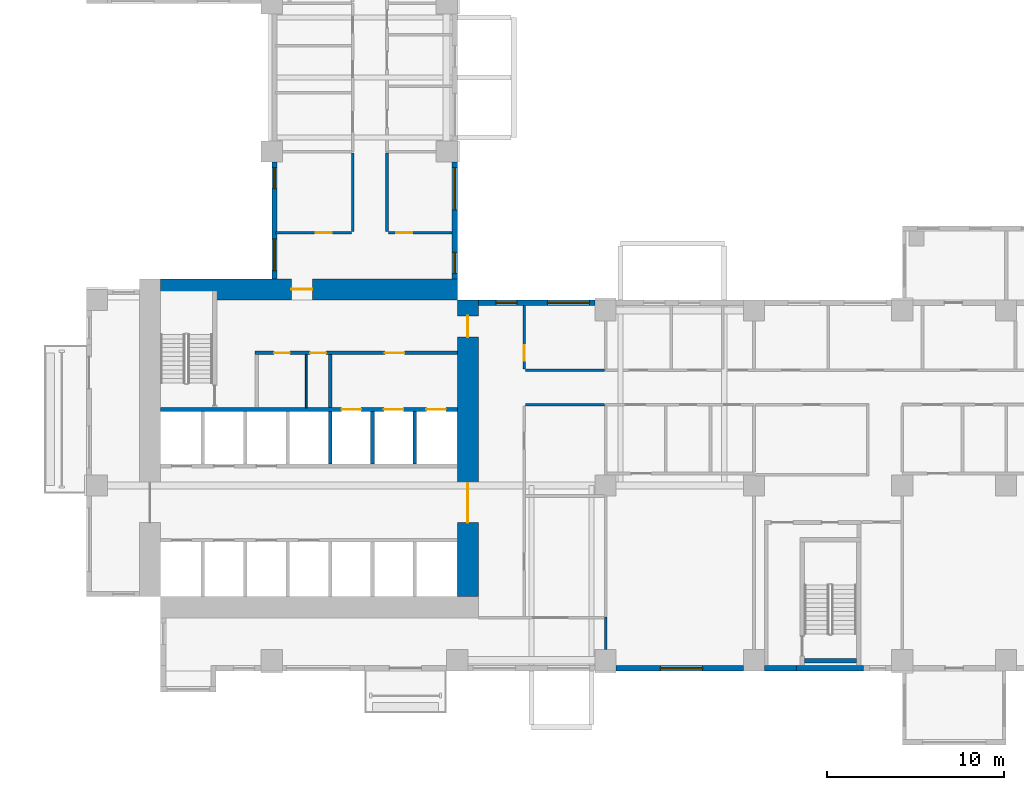
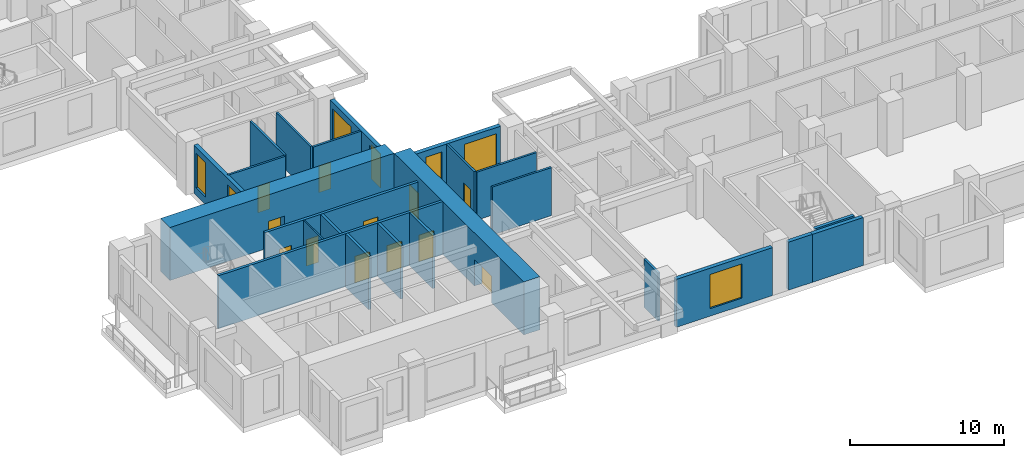
# One storey, part 3 of 15: 24 walls, 12 doors, 7 windows, 19 openings.
"""IFC4 building model written with IfcOpenShell, lengths in metres."""

from ifc_helpers import new_model, si_unit, direction, frame, frame_2d, origin, place, context, subcontext, project, spatial, rectangle, extrude, source, transform, mapped, material, layer, layer_set, type_object, element, fill, save


model = new_model("IFC4")

# Units and contexts
model_context = context("Model", 3, precision=1e-05, world=origin(), true_north=direction((0.0, 1.0)))
body_context = subcontext(model_context, "Body", "Model", "MODEL_VIEW")
ifc_project = project(units=[si_unit("LENGTHUNIT", "METRE"), si_unit("AREAUNIT", "SQUARE_METRE"), si_unit("VOLUMEUNIT", "CUBIC_METRE"), si_unit("PLANEANGLEUNIT", "RADIAN"), si_unit("MASSUNIT", "GRAM", prefix="KILO")], contexts=[model_context])

# Site, building, storey
site_placement = place(None, origin())
site = spatial("IfcSite", under=ifc_project, at=site_placement, CompositionType="ELEMENT")
building_placement = place(site_placement, origin())
building = spatial("IfcBuilding", under=site, at=building_placement, Name="Aurelian Terraces", CompositionType="ELEMENT")
storey_placement = place(building_placement, frame((0.0, 0.0, 74.1)))
storey = spatial("IfcBuildingStorey", under=building, at=storey_placement, Name="L15", CompositionType="ELEMENT", Elevation=74.1)

# Wall, openings, doors
ifc_material_1 = material(Name="Concrete fc' 83 MPa", Category="concrete")
ifc_layer_1 = layer(ifc_material_1, 1.2)
ifc_layer_set_1 = layer_set([ifc_layer_1], Name="CORE WALL 1200 FC83")
wall_type_1 = type_object("IfcWallType", Name="CORE WALL 1200 FC83", PredefinedType="SHEAR", material=ifc_layer_set_1)
shared_shape_1 = source(origin(), body_context, "Body", "SweptSolid", [
    extrude(rectangle(XDim=16.8, YDim=1.2, at=frame_2d((8.4, 0.0))), origin(), (0.0, 0.0, 1.0), 4.2),
])
wall_1_placement = place(storey_placement, frame((21.6, 4.2, 0.0), z_axis=(0.0, 0.0, 1.0), x_axis=(0.0, 1.0, 0.0)))
wall_1 = element("IfcWall", 1, at=wall_1_placement, inside=storey, type_object=wall_type_1, Name="Core wall E L15", PredefinedType="SHEAR", context=body_context, shape_type="MappedRepresentation", body=[
    mapped(shared_shape_1, transform((0.0, 0.0, 0.0), scale=1.0)),
])
shared_shape_2 = source(origin(), body_context, "Body", "SweptSolid", [
    extrude(rectangle(XDim=2.2, YDim=2.1, at=frame_2d((1.1, 1.05))), frame((0.0, 0.61, 0.0), z_axis=(0.0, -1.0, 0.0), x_axis=(1.0, 0.0, 0.0)), (0.0, 0.0, 1.0), 1.22),
])
opening_1_placement = place(wall_1_placement, frame((4.2, 0.0, 0.0)))
opening_1 = element("IfcOpeningElement", 2, at=opening_1_placement, cuts=wall_1, Name="Opening 61820", PredefinedType="OPENING", context=body_context, shape_type="MappedRepresentation", body=[
    mapped(shared_shape_2, transform((0.0, 0.0, 0.0), scale=1.0)),
])
shared_shape_3 = source(origin(), body_context, "Body", "SweptSolid", [
    extrude(rectangle(XDim=1.2, YDim=2.1, at=frame_2d((0.6, 1.05))), frame((0.0, 0.61, 0.0), z_axis=(0.0, -1.0, 0.0), x_axis=(1.0, 0.0, 0.0)), (0.0, 0.0, 1.0), 1.22),
])
opening_2_placement = place(wall_1_placement, frame((14.7, 0.0, 0.0)))
opening_2 = element("IfcOpeningElement", 3, at=opening_2_placement, cuts=wall_1, Name="Opening 61823", PredefinedType="OPENING", context=body_context, shape_type="MappedRepresentation", body=[
    mapped(shared_shape_3, transform((0.0, 0.0, 0.0), scale=1.0)),
])
ifc_material_2 = material(Name="Steel door leaf", Category="steel")
door_type_1 = type_object("IfcDoorType", Name="Core fire door 1200x2100 right", OperationType="SINGLE_SWING_RIGHT", PredefinedType="DOOR", material=ifc_material_2)
shared_shape_4 = source(origin(), body_context, "Body", "SweptSolid", [
    extrude(rectangle(XDim=1.2, YDim=2.1, at=frame_2d((0.6, 1.05))), frame((0.0, 0.025, 0.0), z_axis=(0.0, -1.0, 0.0), x_axis=(1.0, 0.0, 0.0)), (0.0, 0.0, 1.0), 0.05),
])
door_1_placement = place(opening_2_placement, origin())
door_1 = element("IfcDoor", 4, at=door_1_placement, inside=storey, type_object=door_type_1, Name="Core door 61823", OperationType="SINGLE_SWING_RIGHT", OverallHeight=2.1, OverallWidth=1.2, PredefinedType="DOOR", context=body_context, shape_type="MappedRepresentation", body=[
    mapped(shared_shape_4, transform((0.0, 0.0, 0.0), scale=1.0)),
])
fill(opening_2, door_1)
door_type_2 = type_object("IfcDoorType", Name="Core double door 2200x2100", OperationType="DOUBLE_DOOR_SINGLE_SWING", PredefinedType="DOOR", material=ifc_material_2)
shared_shape_5 = source(origin(), body_context, "Body", "SweptSolid", [
    extrude(rectangle(XDim=2.2, YDim=2.1, at=frame_2d((1.1, 1.05))), frame((0.0, 0.025, 0.0), z_axis=(0.0, -1.0, 0.0), x_axis=(1.0, 0.0, 0.0)), (0.0, 0.0, 1.0), 0.05),
])
door_2_placement = place(opening_1_placement, origin())
door_2 = element("IfcDoor", 5, at=door_2_placement, inside=storey, type_object=door_type_2, Name="Core door 61820", OperationType="DOUBLE_DOOR_SINGLE_SWING", OverallHeight=2.1, OverallWidth=2.2, PredefinedType="DOOR", context=body_context, shape_type="MappedRepresentation", body=[
    mapped(shared_shape_5, transform((0.0, 0.0, 0.0), scale=1.0)),
])
fill(opening_1, door_2)

# Wall, opening, door
wall_2_placement = place(storey_placement, frame((4.2, 21.6, 0.0), z_axis=(0.0, 0.0, 1.0), x_axis=(1.0, 0.0, 0.0)))
wall_2 = element("IfcWall", 6, at=wall_2_placement, inside=storey, type_object=wall_type_1, Name="Core wall N L15", PredefinedType="SHEAR", context=body_context, shape_type="MappedRepresentation", body=[
    mapped(shared_shape_1, transform((0.0, 0.0, 0.0), scale=1.0)),
])
opening_3_placement = place(wall_2_placement, frame((7.4, 0.0, 0.0)))
opening_3 = element("IfcOpeningElement", 7, at=opening_3_placement, cuts=wall_2, Name="Opening 61822", PredefinedType="OPENING", context=body_context, shape_type="MappedRepresentation", body=[
    mapped(shared_shape_3, transform((0.0, 0.0, 0.0), scale=1.0)),
])
door_type_3 = type_object("IfcDoorType", Name="Core fire door 1200x2100", OperationType="SINGLE_SWING_LEFT", PredefinedType="DOOR", material=ifc_material_2)
door_3_placement = place(opening_3_placement, origin())
door_3 = element("IfcDoor", 8, at=door_3_placement, inside=storey, type_object=door_type_3, Name="Core door 61822", OperationType="SINGLE_SWING_LEFT", OverallHeight=2.1, OverallWidth=1.2, PredefinedType="DOOR", context=body_context, shape_type="MappedRepresentation", body=[
    mapped(shared_shape_4, transform((0.0, 0.0, 0.0), scale=1.0)),
])
fill(opening_3, door_3)

# Wall, opening, window
ifc_material_3 = material(Name="Terracotta rainscreen cladding", Category="masonry")
ifc_layer_2 = layer(ifc_material_3, 0.3)
ifc_layer_set_2 = layer_set([ifc_layer_2], Name="EW-300")
wall_type_2 = type_object("IfcWallType", Name="EW-300", PredefinedType="STANDARD", material=ifc_layer_set_2)
shared_shape_6 = source(origin(), body_context, "Body", "SweptSolid", [
    extrude(rectangle(XDim=7.2, YDim=0.3, at=frame_2d((3.6, 0.0))), origin(), (0.0, 0.0, 1.0), 3.8),
])
wall_3_placement = place(storey_placement, frame((30.0, 0.15, 0.0), z_axis=(0.0, 0.0, 1.0), x_axis=(1.0, 0.0, 0.0)))
wall_3 = element("IfcWall", 9, at=wall_3_placement, inside=storey, type_object=wall_type_2, Name="External wall L15 F01.6", PredefinedType="STANDARD", context=body_context, shape_type="MappedRepresentation", body=[
    mapped(shared_shape_6, transform((0.0, 0.0, 0.0), scale=1.0)),
])
shared_shape_7 = source(origin(), body_context, "Body", "SweptSolid", [
    extrude(rectangle(XDim=2.4, YDim=2.7, at=frame_2d((1.2, 1.35))), frame((0.0, 0.16, 0.0), z_axis=(0.0, -1.0, 0.0), x_axis=(1.0, 0.0, 0.0)), (0.0, 0.0, 1.0), 0.32),
])
opening_4_placement = place(wall_3_placement, frame((2.5, 0.0, 0.6)))
opening_4 = element("IfcOpeningElement", 10, at=opening_4_placement, cuts=wall_3, Name="Opening W2427", PredefinedType="OPENING", context=body_context, shape_type="MappedRepresentation", body=[
    mapped(shared_shape_7, transform((0.0, 0.0, 0.0), scale=1.0)),
])
ifc_material_4 = material(Name="Clear glazing", Category="glass")
window_type_1 = type_object("IfcWindowType", Name="W-2400x2700", PartitioningType="SINGLE_PANEL", PredefinedType="WINDOW", material=ifc_material_4)
shared_shape_8 = source(origin(), body_context, "Body", "SweptSolid", [
    extrude(rectangle(XDim=2.4, YDim=2.7, at=frame_2d((1.2, 1.35))), frame((0.0, 0.03, 0.0), z_axis=(0.0, -1.0, 0.0), x_axis=(1.0, 0.0, 0.0)), (0.0, 0.0, 1.0), 0.06),
])
window_1_placement = place(opening_4_placement, origin())
window_1 = element("IfcWindow", 11, at=window_1_placement, inside=storey, type_object=window_type_1, Name="Window L15 L15-F01-06-P0", OverallHeight=2.7, OverallWidth=2.4, PartitioningType="SINGLE_PANEL", PredefinedType="WINDOW", context=body_context, shape_type="MappedRepresentation", body=[
    mapped(shared_shape_8, transform((0.0, 0.0, 0.0), scale=1.0)),
])
fill(opening_4, window_1)

# Walls
ifc_material_5 = material(Name="Concrete fc' 40 MPa", Category="concrete")
ifc_layer_3 = layer(ifc_material_5, 0.3)
ifc_layer_set_3 = layer_set([ifc_layer_3], Name="STAIR BAY WALL 300")
wall_type_3 = type_object("IfcWallType", Name="STAIR BAY WALL 300", PredefinedType="SOLIDWALL", material=ifc_layer_set_3)
shared_shape_9 = source(origin(), body_context, "Body", "SweptSolid", [
    extrude(rectangle(XDim=3.8, YDim=0.3, at=frame_2d((1.9, 0.0))), origin(), (0.0, 0.0, 1.0), 3.8),
])
wall_4_placement = place(storey_placement, frame((40.2, 0.15, 0.0), z_axis=(0.0, 0.0, 1.0), x_axis=(1.0, 0.0, 0.0)))
element("IfcWall", 12, at=wall_4_placement, inside=storey, type_object=wall_type_3, Name="Stair bay wall L15 F01.7", PredefinedType="SOLIDWALL", context=body_context, shape_type="MappedRepresentation", body=[
    mapped(shared_shape_9, transform((0.0, 0.0, 0.0), scale=1.0)),
])
shared_shape_10 = source(origin(), body_context, "Body", "SweptSolid", [
    extrude(rectangle(XDim=1.8, YDim=0.3, at=frame_2d((0.9, 0.0))), origin(), (0.0, 0.0, 1.0), 3.8),
])
wall_5_placement = place(storey_placement, frame((38.4, 0.15, 0.0), z_axis=(0.0, 0.0, 1.0), x_axis=(1.0, 0.0, 0.0)))
element("IfcWall", 13, at=wall_5_placement, inside=storey, type_object=wall_type_2, Name="External wall L15 F01.7", PredefinedType="STANDARD", context=body_context, shape_type="MappedRepresentation", body=[
    mapped(shared_shape_10, transform((0.0, 0.0, 0.0), scale=1.0)),
])

# Wall, openings, windows
shared_shape_11 = source(origin(), body_context, "Body", "SweptSolid", [
    extrude(rectangle(XDim=6.6, YDim=0.3, at=frame_2d((3.3, 0.0))), origin(), (0.0, 0.0, 1.0), 3.8),
])
wall_6_placement = place(storey_placement, frame((28.8, 20.85, 0.0), z_axis=(0.0, 0.0, 1.0), x_axis=(-1.0, 0.0, 0.0)))
wall_6 = element("IfcWall", 14, at=wall_6_placement, inside=storey, type_object=wall_type_2, Name="External wall L15 F07.20", PredefinedType="STANDARD", context=body_context, shape_type="MappedRepresentation", body=[
    mapped(shared_shape_11, transform((0.0, 0.0, 0.0), scale=1.0)),
])
opening_5_placement = place(wall_6_placement, frame((0.3, 0.0, 0.6)))
opening_5 = element("IfcOpeningElement", 15, at=opening_5_placement, cuts=wall_6, Name="Opening W2427", PredefinedType="OPENING", context=body_context, shape_type="MappedRepresentation", body=[
    mapped(shared_shape_7, transform((0.0, 0.0, 0.0), scale=1.0)),
])
shared_shape_12 = source(origin(), body_context, "Body", "SweptSolid", [
    extrude(rectangle(XDim=1.2, YDim=2.7, at=frame_2d((0.6, 1.35))), frame((0.0, 0.16, 0.0), z_axis=(0.0, -1.0, 0.0), x_axis=(1.0, 0.0, 0.0)), (0.0, 0.0, 1.0), 0.32),
])
opening_6_placement = place(wall_6_placement, frame((4.4125, 0.0, 0.6)))
opening_6 = element("IfcOpeningElement", 16, at=opening_6_placement, cuts=wall_6, Name="Opening W1227", PredefinedType="OPENING", context=body_context, shape_type="MappedRepresentation", body=[
    mapped(shared_shape_12, transform((0.0, 0.0, 0.0), scale=1.0)),
])
window_2_placement = place(opening_5_placement, origin())
window_2 = element("IfcWindow", 17, at=window_2_placement, inside=storey, type_object=window_type_1, Name="Window L15 L15-F07-20-3", OverallHeight=2.7, OverallWidth=2.4, PartitioningType="SINGLE_PANEL", PredefinedType="WINDOW", context=body_context, shape_type="MappedRepresentation", body=[
    mapped(shared_shape_8, transform((0.0, 0.0, 0.0), scale=1.0)),
])
fill(opening_5, window_2)
window_type_2 = type_object("IfcWindowType", Name="W-1200x2700", PartitioningType="SINGLE_PANEL", PredefinedType="WINDOW", material=ifc_material_4)
shared_shape_13 = source(origin(), body_context, "Body", "SweptSolid", [
    extrude(rectangle(XDim=1.2, YDim=2.7, at=frame_2d((0.6, 1.35))), frame((0.0, 0.03, 0.0), z_axis=(0.0, -1.0, 0.0), x_axis=(1.0, 0.0, 0.0)), (0.0, 0.0, 1.0), 0.06),
])
window_3_placement = place(opening_6_placement, origin())
window_3 = element("IfcWindow", 18, at=window_3_placement, inside=storey, type_object=window_type_2, Name="Window L15 L15-F07-20-G2-201", OverallHeight=2.7, OverallWidth=1.2, PartitioningType="SINGLE_PANEL", PredefinedType="WINDOW", context=body_context, shape_type="MappedRepresentation", body=[
    mapped(shared_shape_13, transform((0.0, 0.0, 0.0), scale=1.0)),
])
fill(opening_6, window_3)

wall_7_placement = place(storey_placement, frame((20.85, 22.2, 0.0), z_axis=(0.0, 0.0, 1.0), x_axis=(0.0, 1.0, 0.0)))
wall_7 = element("IfcWall", 19, at=wall_7_placement, inside=storey, type_object=wall_type_2, Name="External wall L15 F08.21", PredefinedType="STANDARD", context=body_context, shape_type="MappedRepresentation", body=[
    mapped(shared_shape_11, transform((0.0, 0.0, 0.0), scale=1.0)),
])
opening_7_placement = place(wall_7_placement, frame((0.3, 0.0, 0.6)))
opening_7 = element("IfcOpeningElement", 20, at=opening_7_placement, cuts=wall_7, Name="Opening W1227", PredefinedType="OPENING", context=body_context, shape_type="MappedRepresentation", body=[
    mapped(shared_shape_12, transform((0.0, 0.0, 0.0), scale=1.0)),
])
opening_8_placement = place(wall_7_placement, frame((3.9, 0.0, 0.6)))
opening_8 = element("IfcOpeningElement", 21, at=opening_8_placement, cuts=wall_7, Name="Opening W2427", PredefinedType="OPENING", context=body_context, shape_type="MappedRepresentation", body=[
    mapped(shared_shape_7, transform((0.0, 0.0, 0.0), scale=1.0)),
])
window_4_placement = place(opening_8_placement, origin())
window_4 = element("IfcWindow", 22, at=window_4_placement, inside=storey, type_object=window_type_1, Name="Window L15 L15-F08-21-1", OverallHeight=2.7, OverallWidth=2.4, PartitioningType="SINGLE_PANEL", PredefinedType="WINDOW", context=body_context, shape_type="MappedRepresentation", body=[
    mapped(shared_shape_8, transform((0.0, 0.0, 0.0), scale=1.0)),
])
fill(opening_8, window_4)
window_5_placement = place(opening_7_placement, origin())
window_5 = element("IfcWindow", 23, at=window_5_placement, inside=storey, type_object=window_type_2, Name="Window L15 L15-F08-21-0", OverallHeight=2.7, OverallWidth=1.2, PartitioningType="SINGLE_PANEL", PredefinedType="WINDOW", context=body_context, shape_type="MappedRepresentation", body=[
    mapped(shared_shape_13, transform((0.0, 0.0, 0.0), scale=1.0)),
])
fill(opening_7, window_5)

wall_8_placement = place(storey_placement, frame((10.65, 28.8, 0.0), z_axis=(0.0, 0.0, 1.0), x_axis=(0.0, -1.0, 0.0)))
wall_8 = element("IfcWall", 24, at=wall_8_placement, inside=storey, type_object=wall_type_2, Name="External wall L15 F16.35", PredefinedType="STANDARD", context=body_context, shape_type="MappedRepresentation", body=[
    mapped(shared_shape_11, transform((0.0, 0.0, 0.0), scale=1.0)),
])
opening_9_placement = place(wall_8_placement, frame((0.3, 0.0, 0.6)))
opening_9 = element("IfcOpeningElement", 25, at=opening_9_placement, cuts=wall_8, Name="Opening W1227", PredefinedType="OPENING", context=body_context, shape_type="MappedRepresentation", body=[
    mapped(shared_shape_12, transform((0.0, 0.0, 0.0), scale=1.0)),
])
shared_shape_14 = source(origin(), body_context, "Body", "SweptSolid", [
    extrude(rectangle(XDim=1.8, YDim=2.7, at=frame_2d((0.9, 1.35))), frame((0.0, 0.16, 0.0), z_axis=(0.0, -1.0, 0.0), x_axis=(1.0, 0.0, 0.0)), (0.0, 0.0, 1.0), 0.32),
])
opening_10_placement = place(wall_8_placement, frame((4.3375, 0.0, 0.6)))
opening_10 = element("IfcOpeningElement", 26, at=opening_10_placement, cuts=wall_8, Name="Opening W1827", PredefinedType="OPENING", context=body_context, shape_type="MappedRepresentation", body=[
    mapped(shared_shape_14, transform((0.0, 0.0, 0.0), scale=1.0)),
])
window_type_3 = type_object("IfcWindowType", Name="W-1800x2700", PartitioningType="SINGLE_PANEL", PredefinedType="WINDOW", material=ifc_material_4)
shared_shape_15 = source(origin(), body_context, "Body", "SweptSolid", [
    extrude(rectangle(XDim=1.8, YDim=2.7, at=frame_2d((0.9, 1.35))), frame((0.0, 0.03, 0.0), z_axis=(0.0, -1.0, 0.0), x_axis=(1.0, 0.0, 0.0)), (0.0, 0.0, 1.0), 0.06),
])
window_6_placement = place(opening_10_placement, origin())
window_6 = element("IfcWindow", 27, at=window_6_placement, inside=storey, type_object=window_type_3, Name="Window L15 L15-F16-35-3", OverallHeight=2.7, OverallWidth=1.8, PartitioningType="SINGLE_PANEL", PredefinedType="WINDOW", context=body_context, shape_type="MappedRepresentation", body=[
    mapped(shared_shape_15, transform((0.0, 0.0, 0.0), scale=1.0)),
])
fill(opening_10, window_6)
window_7_placement = place(opening_9_placement, origin())
window_7 = element("IfcWindow", 28, at=window_7_placement, inside=storey, type_object=window_type_2, Name="Window L15 L15-F16-35-2", OverallHeight=2.7, OverallWidth=1.2, PartitioningType="SINGLE_PANEL", PredefinedType="WINDOW", context=body_context, shape_type="MappedRepresentation", body=[
    mapped(shared_shape_13, transform((0.0, 0.0, 0.0), scale=1.0)),
])
fill(opening_9, window_7)

# Walls
ifc_layer_4 = layer(ifc_material_5, 0.2)
ifc_layer_set_4 = layer_set([ifc_layer_4], Name="Lift shaft wall 200")
wall_type_4 = type_object("IfcWallType", Name="Lift shaft wall 200", PredefinedType="SOLIDWALL", material=ifc_layer_set_4)
shared_shape_16 = source(origin(), body_context, "Body", "SweptSolid", [
    extrude(rectangle(XDim=3.0, YDim=0.2, at=frame_2d((1.5, 0.0))), origin(), (0.0, 0.0, 1.0), 4.2),
])
for number, where, z_axis, x_axis, name in (
    (29, (13.8, 11.7, 0.0), (0.0, 0.0, 1.0), (0.0, 1.0, 0.0), "L15 core wall CD-B4"),
    (30, (16.2, 11.7, 0.0), (0.0, 0.0, 1.0), (0.0, 1.0, 0.0), "L15 core wall CD-B5"),
    (31, (18.6, 11.7, 0.0), (0.0, 0.0, 1.0), (0.0, 1.0, 0.0), "L15 core wall CD-B6"),
):
    element("IfcWall", number, at=place(storey_placement, frame(where, z_axis=z_axis, x_axis=x_axis)), inside=storey, type_object=wall_type_4, Name=name, PredefinedType="SOLIDWALL", context=body_context, shape_type="MappedRepresentation", body=[
        mapped(shared_shape_16, transform((0.0, 0.0, 0.0), scale=1.0)),
    ])

# Wall, openings, doors
shared_shape_17 = source(origin(), body_context, "Body", "SweptSolid", [
    extrude(rectangle(XDim=16.8, YDim=0.2, at=frame_2d((8.4, 0.0))), origin(), (0.0, 0.0, 1.0), 4.2),
])
wall_9_placement = place(storey_placement, frame((4.2, 14.8, 0.0), z_axis=(0.0, 0.0, 1.0), x_axis=(1.0, 0.0, 0.0)))
wall_9 = element("IfcWall", 32, at=wall_9_placement, inside=storey, type_object=wall_type_4, Name="L15 core wall CF-BB1", PredefinedType="SOLIDWALL", context=body_context, shape_type="MappedRepresentation", body=[
    mapped(shared_shape_17, transform((0.0, 0.0, 0.0), scale=1.0)),
])
shared_shape_18 = source(origin(), body_context, "Body", "SweptSolid", [
    extrude(rectangle(XDim=1.1, YDim=2.1, at=frame_2d((0.55, 1.05))), frame((0.0, 0.11, 0.0), z_axis=(0.0, -1.0, 0.0), x_axis=(1.0, 0.0, 0.0)), (0.0, 0.0, 1.0), 0.22),
])
opening_11_placement = place(wall_9_placement, frame((10.25, 0.0, 0.0)))
opening_11 = element("IfcOpeningElement", 33, at=opening_11_placement, cuts=wall_9, Name="Opening 61807", PredefinedType="OPENING", context=body_context, shape_type="MappedRepresentation", body=[
    mapped(shared_shape_18, transform((0.0, 0.0, 0.0), scale=1.0)),
])
opening_12_placement = place(wall_9_placement, frame((12.65, 0.0, 0.0)))
opening_12 = element("IfcOpeningElement", 34, at=opening_12_placement, cuts=wall_9, Name="Opening 61808", PredefinedType="OPENING", context=body_context, shape_type="MappedRepresentation", body=[
    mapped(shared_shape_18, transform((0.0, 0.0, 0.0), scale=1.0)),
])
opening_13_placement = place(wall_9_placement, frame((15.05, 0.0, 0.0)))
opening_13 = element("IfcOpeningElement", 35, at=opening_13_placement, cuts=wall_9, Name="Opening 61809", PredefinedType="OPENING", context=body_context, shape_type="MappedRepresentation", body=[
    mapped(shared_shape_18, transform((0.0, 0.0, 0.0), scale=1.0)),
])
ifc_material_6 = material(Name="Stainless steel", Category="steel")
door_type_4 = type_object("IfcDoorType", Name="Lift landing door 1100x2100", OperationType="SLIDING_TO_LEFT", PredefinedType="DOOR", material=ifc_material_6)
shared_shape_19 = source(origin(), body_context, "Body", "SweptSolid", [
    extrude(rectangle(XDim=1.1, YDim=2.1, at=frame_2d((0.55, 1.05))), frame((0.0, 0.025, 0.0), z_axis=(0.0, -1.0, 0.0), x_axis=(1.0, 0.0, 0.0)), (0.0, 0.0, 1.0), 0.05),
])
door_4_placement = place(opening_11_placement, origin())
door_4 = element("IfcDoor", 36, at=door_4_placement, inside=storey, type_object=door_type_4, Name="Lift landing door F1 L15", OperationType="SLIDING_TO_LEFT", OverallHeight=2.1, OverallWidth=1.1, PredefinedType="DOOR", context=body_context, shape_type="MappedRepresentation", body=[
    mapped(shared_shape_19, transform((0.0, 0.0, 0.0), scale=1.0)),
])
fill(opening_11, door_4)
door_5_placement = place(opening_12_placement, origin())
door_5 = element("IfcDoor", 37, at=door_5_placement, inside=storey, type_object=door_type_4, Name="Lift landing door F2 L15", OperationType="SLIDING_TO_LEFT", OverallHeight=2.1, OverallWidth=1.1, PredefinedType="DOOR", context=body_context, shape_type="MappedRepresentation", body=[
    mapped(shared_shape_19, transform((0.0, 0.0, 0.0), scale=1.0)),
])
fill(opening_12, door_5)
door_6_placement = place(opening_13_placement, origin())
door_6 = element("IfcDoor", 38, at=door_6_placement, inside=storey, type_object=door_type_4, Name="Lift landing door F3 L15", OperationType="SLIDING_TO_LEFT", OverallHeight=2.1, OverallWidth=1.1, PredefinedType="DOOR", context=body_context, shape_type="MappedRepresentation", body=[
    mapped(shared_shape_19, transform((0.0, 0.0, 0.0), scale=1.0)),
])
fill(opening_13, door_6)

# Walls
ifc_material_7 = material(Name="Gypsum board on steel studs", Category="steel")
ifc_layer_5 = layer(ifc_material_7, 0.2)
ifc_layer_set_5 = layer_set([ifc_layer_5], Name="Core partition 200")
wall_type_5 = type_object("IfcWallType", Name="Core partition 200", PredefinedType="PARTITIONING", material=ifc_layer_set_5)
shared_shape_20 = source(origin(), body_context, "Body", "SweptSolid", [
    extrude(rectangle(XDim=3.0, YDim=0.2, at=frame_2d((1.5, 0.0))), origin(), (0.0, 0.0, 1.0), 3.8),
])
wall_10_placement = place(storey_placement, frame((13.8, 14.9, 0.0), z_axis=(0.0, 0.0, 1.0), x_axis=(0.0, 1.0, 0.0)))
element("IfcWall", 39, at=wall_10_placement, inside=storey, type_object=wall_type_5, Name="L15 core wall CP-FFL", PredefinedType="PARTITIONING", context=body_context, shape_type="MappedRepresentation", body=[
    mapped(shared_shape_20, transform((0.0, 0.0, 0.0), scale=1.0)),
])
ifc_layer_6 = layer(ifc_material_7, 0.1)
ifc_layer_set_6 = layer_set([ifc_layer_6], Name="Core partition 100")
wall_type_6 = type_object("IfcWallType", Name="Core partition 100", PredefinedType="PARTITIONING", material=ifc_layer_set_6)
shared_shape_21 = source(origin(), body_context, "Body", "SweptSolid", [
    extrude(rectangle(XDim=3.0, YDim=0.1, at=frame_2d((1.5, 0.0))), origin(), (0.0, 0.0, 1.0), 3.8),
])
wall_11_placement = place(storey_placement, frame((12.45, 14.9, 0.0), z_axis=(0.0, 0.0, 1.0), x_axis=(0.0, 1.0, 0.0)))
element("IfcWall", 40, at=wall_11_placement, inside=storey, type_object=wall_type_6, Name="L15 core wall CP-SV1", PredefinedType="PARTITIONING", context=body_context, shape_type="MappedRepresentation", body=[
    mapped(shared_shape_21, transform((0.0, 0.0, 0.0), scale=1.0)),
])
ifc_layer_7 = layer(ifc_material_5, 0.25)
ifc_layer_set_7 = layer_set([ifc_layer_7], Name="Stair enclosure wall 250")
wall_type_7 = type_object("IfcWallType", Name="Stair enclosure wall 250", PredefinedType="SOLIDWALL", material=ifc_layer_set_7)
shared_shape_22 = source(origin(), body_context, "Body", "SweptSolid", [
    extrude(rectangle(XDim=2.95, YDim=0.25, at=frame_2d((1.475, 0.0))), origin(), (0.0, 0.0, 1.0), 3.8),
])
wall_12_placement = place(storey_placement, frame((40.65, 0.575, 0.0), z_axis=(0.0, 0.0, 1.0), x_axis=(1.0, 0.0, 0.0)))
element("IfcWall", 41, at=wall_12_placement, inside=storey, type_object=wall_type_7, Name="L15 core wall ST-S2-SS", PredefinedType="SOLIDWALL", context=body_context, shape_type="MappedRepresentation", body=[
    mapped(shared_shape_22, transform((0.0, 0.0, 0.0), scale=1.0)),
])

# Wall, openings, doors
shared_shape_23 = source(origin(), body_context, "Body", "SweptSolid", [
    extrude(rectangle(XDim=11.45, YDim=0.2, at=frame_2d((5.725, 0.0))), origin(), (0.0, 0.0, 1.0), 3.8),
])
wall_13_placement = place(storey_placement, frame((9.55, 18.0, 0.0), z_axis=(0.0, 0.0, 1.0), x_axis=(1.0, 0.0, 0.0)))
wall_13 = element("IfcWall", 42, at=wall_13_placement, inside=storey, type_object=wall_type_5, Name="L15 core wall CP-NORTH", PredefinedType="PARTITIONING", context=body_context, shape_type="MappedRepresentation", body=[
    mapped(shared_shape_23, transform((0.0, 0.0, 0.0), scale=1.0)),
])
shared_shape_24 = source(origin(), body_context, "Body", "SweptSolid", [
    extrude(rectangle(XDim=0.9, YDim=2.1, at=frame_2d((0.45, 1.05))), frame((0.0, 0.11, 0.0), z_axis=(0.0, -1.0, 0.0), x_axis=(1.0, 0.0, 0.0)), (0.0, 0.0, 1.0), 0.22),
])
opening_14_placement = place(wall_13_placement, frame((1.075, 0.0, 0.0)))
opening_14 = element("IfcOpeningElement", 43, at=opening_14_placement, cuts=wall_13, Name="Opening 61811", PredefinedType="OPENING", context=body_context, shape_type="MappedRepresentation", body=[
    mapped(shared_shape_24, transform((0.0, 0.0, 0.0), scale=1.0)),
])
opening_15_placement = place(wall_13_placement, frame((3.125, 0.0, 0.0)))
opening_15 = element("IfcOpeningElement", 44, at=opening_15_placement, cuts=wall_13, Name="Opening 61812", PredefinedType="OPENING", context=body_context, shape_type="MappedRepresentation", body=[
    mapped(shared_shape_24, transform((0.0, 0.0, 0.0), scale=1.0)),
])
opening_16_placement = place(wall_13_placement, frame((7.35, 0.0, 0.0)))
opening_16 = element("IfcOpeningElement", 45, at=opening_16_placement, cuts=wall_13, Name="Opening 61813", PredefinedType="OPENING", context=body_context, shape_type="MappedRepresentation", body=[
    mapped(shared_shape_18, transform((0.0, 0.0, 0.0), scale=1.0)),
])
door_type_5 = type_object("IfcDoorType", Name="Core service door 900x2100 right", OperationType="SINGLE_SWING_RIGHT", PredefinedType="DOOR", material=ifc_material_2)
shared_shape_25 = source(origin(), body_context, "Body", "SweptSolid", [
    extrude(rectangle(XDim=0.9, YDim=2.1, at=frame_2d((0.45, 1.05))), frame((0.0, 0.025, 0.0), z_axis=(0.0, -1.0, 0.0), x_axis=(1.0, 0.0, 0.0)), (0.0, 0.0, 1.0), 0.05),
])
door_7_placement = place(opening_14_placement, origin())
door_7 = element("IfcDoor", 46, at=door_7_placement, inside=storey, type_object=door_type_5, Name="Room door 61811", OperationType="SINGLE_SWING_RIGHT", OverallHeight=2.1, OverallWidth=0.9, PredefinedType="DOOR", context=body_context, shape_type="MappedRepresentation", body=[
    mapped(shared_shape_25, transform((0.0, 0.0, 0.0), scale=1.0)),
])
fill(opening_14, door_7)
door_type_6 = type_object("IfcDoorType", Name="Core riser door 900x2100", OperationType="SINGLE_SWING_LEFT", PredefinedType="DOOR", material=ifc_material_2)
door_8_placement = place(opening_15_placement, origin())
door_8 = element("IfcDoor", 47, at=door_8_placement, inside=storey, type_object=door_type_6, Name="Room door 61812", OperationType="SINGLE_SWING_LEFT", OverallHeight=2.1, OverallWidth=0.9, PredefinedType="DOOR", context=body_context, shape_type="MappedRepresentation", body=[
    mapped(shared_shape_25, transform((0.0, 0.0, 0.0), scale=1.0)),
])
fill(opening_15, door_8)
door_type_7 = type_object("IfcDoorType", Name="Core fire door 1100x2100 right", OperationType="SINGLE_SWING_RIGHT", PredefinedType="DOOR", material=ifc_material_2)
door_9_placement = place(opening_16_placement, origin())
door_9 = element("IfcDoor", 48, at=door_9_placement, inside=storey, type_object=door_type_7, Name="Ff lobby door 61813", OperationType="SINGLE_SWING_RIGHT", OverallHeight=2.1, OverallWidth=1.1, PredefinedType="DOOR", context=body_context, shape_type="MappedRepresentation", body=[
    mapped(shared_shape_19, transform((0.0, 0.0, 0.0), scale=1.0)),
])
fill(opening_16, door_9)

# Wall, opening, door
ifc_layer_8 = layer(ifc_material_7, 0.15)
ifc_layer_set_8 = layer_set([ifc_layer_8], Name="Partition 150")
wall_type_8 = type_object("IfcWallType", Name="Partition 150", PredefinedType="PARTITIONING", material=ifc_layer_set_8)
shared_shape_26 = source(origin(), body_context, "Body", "SweptSolid", [
    extrude(rectangle(XDim=3.6, YDim=0.15, at=frame_2d((1.8, 0.0))), origin(), (0.0, 0.0, 1.0), 3.8),
])
wall_14_placement = place(storey_placement, frame((24.8, 20.7, 0.0), z_axis=(0.0, 0.0, 1.0), x_axis=(0.0, -1.0, 0.0)))
wall_14 = element("IfcWall", 49, at=wall_14_placement, inside=storey, type_object=wall_type_8, Name="Partition", PredefinedType="PARTITIONING", context=body_context, shape_type="MappedRepresentation", body=[
    mapped(shared_shape_26, transform((0.0, 0.0, 0.0), scale=1.0)),
])
shared_shape_27 = source(origin(), body_context, "Body", "SweptSolid", [
    extrude(rectangle(XDim=0.9, YDim=2.1, at=frame_2d((0.45, 1.05))), frame((0.0, 0.085, 0.0), z_axis=(0.0, -1.0, 0.0), x_axis=(1.0, 0.0, 0.0)), (0.0, 0.0, 1.0), 0.17),
])
opening_17_placement = place(wall_14_placement, frame((2.25, 0.0, 0.0)))
opening_17 = element("IfcOpeningElement", 50, at=opening_17_placement, cuts=wall_14, Name="Opening 715003", PredefinedType="OPENING", context=body_context, shape_type="MappedRepresentation", body=[
    mapped(shared_shape_27, transform((0.0, 0.0, 0.0), scale=1.0)),
])
ifc_material_8 = material(Name="Timber door leaf", Category="wood")
door_type_8 = type_object("IfcDoorType", Name="Room door 900x2100 left", OperationType="SINGLE_SWING_LEFT", PredefinedType="DOOR", material=ifc_material_8)
door_10_placement = place(opening_17_placement, origin())
door_10 = element("IfcDoor", 51, at=door_10_placement, inside=storey, type_object=door_type_8, Name="Door 715003", OperationType="SINGLE_SWING_LEFT", OverallHeight=2.1, OverallWidth=0.9, PredefinedType="DOOR", context=body_context, shape_type="MappedRepresentation", body=[
    mapped(shared_shape_25, transform((0.0, 0.0, 0.0), scale=1.0)),
])
fill(opening_17, door_10)

wall_15_placement = place(storey_placement, frame((17.1, 24.8, 0.0), z_axis=(0.0, 0.0, 1.0), x_axis=(1.0, 0.0, 0.0)))
wall_15 = element("IfcWall", 52, at=wall_15_placement, inside=storey, type_object=wall_type_8, Name="Partition", PredefinedType="PARTITIONING", context=body_context, shape_type="MappedRepresentation", body=[
    mapped(shared_shape_26, transform((0.0, 0.0, 0.0), scale=1.0)),
])
opening_18_placement = place(wall_15_placement, frame((0.45, 0.0, 0.0)))
opening_18 = element("IfcOpeningElement", 53, at=opening_18_placement, cuts=wall_15, Name="Opening 715030", PredefinedType="OPENING", context=body_context, shape_type="MappedRepresentation", body=[
    mapped(shared_shape_27, transform((0.0, 0.0, 0.0), scale=1.0)),
])
door_11_placement = place(opening_18_placement, origin())
door_11 = element("IfcDoor", 54, at=door_11_placement, inside=storey, type_object=door_type_8, Name="Door 715030", OperationType="SINGLE_SWING_LEFT", OverallHeight=2.1, OverallWidth=0.9, PredefinedType="DOOR", context=body_context, shape_type="MappedRepresentation", body=[
    mapped(shared_shape_25, transform((0.0, 0.0, 0.0), scale=1.0)),
])
fill(opening_18, door_11)

# Wall
shared_shape_28 = source(origin(), body_context, "Body", "SweptSolid", [
    extrude(rectangle(XDim=1.856, YDim=0.15, at=frame_2d((0.928, 0.0))), origin(), (0.0, 0.0, 1.0), 3.8),
])
wall_16_placement = place(storey_placement, frame((29.4, 1.199, 0.0), z_axis=(0.0, 0.0, 1.0), x_axis=(0.0, 1.0, 0.0)))
element("IfcWall", 55, at=wall_16_placement, inside=storey, type_object=wall_type_8, Name="Partition", PredefinedType="PARTITIONING", context=body_context, shape_type="MappedRepresentation", body=[
    mapped(shared_shape_28, transform((0.0, 0.0, 0.0), scale=1.0)),
])

# Wall, opening, door
shared_shape_29 = source(origin(), body_context, "Body", "SweptSolid", [
    extrude(rectangle(XDim=4.295, YDim=0.15, at=frame_2d((2.1475, 0.0))), origin(), (0.0, 0.0, 1.0), 3.8),
])
wall_17_placement = place(storey_placement, frame((10.705, 24.8, 0.0), z_axis=(0.0, 0.0, 1.0), x_axis=(1.0, 0.0, 0.0)))
wall_17 = element("IfcWall", 56, at=wall_17_placement, inside=storey, type_object=wall_type_8, Name="Partition", PredefinedType="PARTITIONING", context=body_context, shape_type="MappedRepresentation", body=[
    mapped(shared_shape_29, transform((0.0, 0.0, 0.0), scale=1.0)),
])
opening_19_placement = place(wall_17_placement, frame((2.2825, 0.0, 0.0)))
opening_19 = element("IfcOpeningElement", 57, at=opening_19_placement, cuts=wall_17, Name="Opening 715029", PredefinedType="OPENING", context=body_context, shape_type="MappedRepresentation", body=[
    mapped(shared_shape_27, transform((0.0, 0.0, 0.0), scale=1.0)),
])
door_type_9 = type_object("IfcDoorType", Name="Room door 900x2100 right", OperationType="SINGLE_SWING_RIGHT", PredefinedType="DOOR", material=ifc_material_8)
door_12_placement = place(opening_19_placement, origin())
door_12 = element("IfcDoor", 58, at=door_12_placement, inside=storey, type_object=door_type_9, Name="Door 715029", OperationType="SINGLE_SWING_RIGHT", OverallHeight=2.1, OverallWidth=0.9, PredefinedType="DOOR", context=body_context, shape_type="MappedRepresentation", body=[
    mapped(shared_shape_25, transform((0.0, 0.0, 0.0), scale=1.0)),
])
fill(opening_19, door_12)

# Walls
ifc_layer_9 = layer(ifc_material_7, 0.15)
ifc_layer_set_9 = layer_set([ifc_layer_9], Name="Fire partition 150")
wall_type_9 = type_object("IfcWallType", Name="Fire partition 150", PredefinedType="PARTITIONING", material=ifc_layer_set_9)
shared_shape_30 = source(origin(), body_context, "Body", "SweptSolid", [
    extrude(rectangle(XDim=4.45, YDim=0.15, at=frame_2d((2.225, 0.0))), origin(), (0.0, 0.0, 1.0), 3.8),
])
for number, where, z_axis, x_axis, name in (
    (59, (29.325, 15.075, 0.0), (0.0, 0.0, 1.0), (-1.0, 0.0, 0.0), "Corridor wall"),
    (60, (24.875, 17.025, 0.0), (0.0, 0.0, 1.0), (1.0, 0.0, 0.0), "Corridor wall"),
    (61, (15.075, 24.875, 0.0), (0.0, 0.0, 1.0), (0.0, 1.0, 0.0), "Corridor wall"),
    (62, (17.025, 29.325, 0.0), (0.0, 0.0, 1.0), (0.0, -1.0, 0.0), "Corridor wall"),
):
    element("IfcWall", number, at=place(storey_placement, frame(where, z_axis=z_axis, x_axis=x_axis)), inside=storey, type_object=wall_type_9, Name=name, PredefinedType="PARTITIONING", context=body_context, shape_type="MappedRepresentation", body=[
        mapped(shared_shape_30, transform((0.0, 0.0, 0.0), scale=1.0)),
    ])

save(model, "model.ifc")
